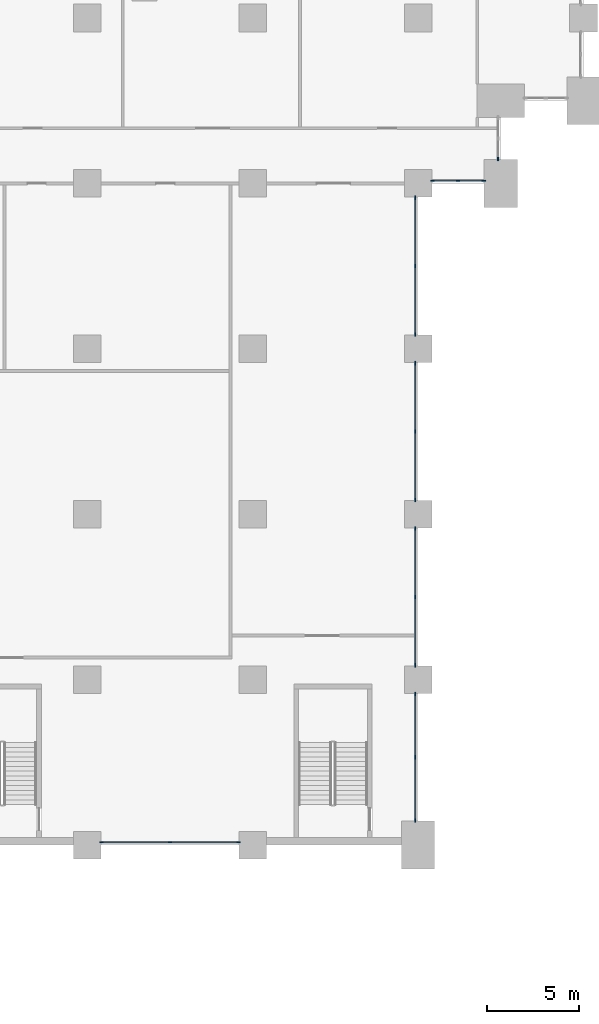
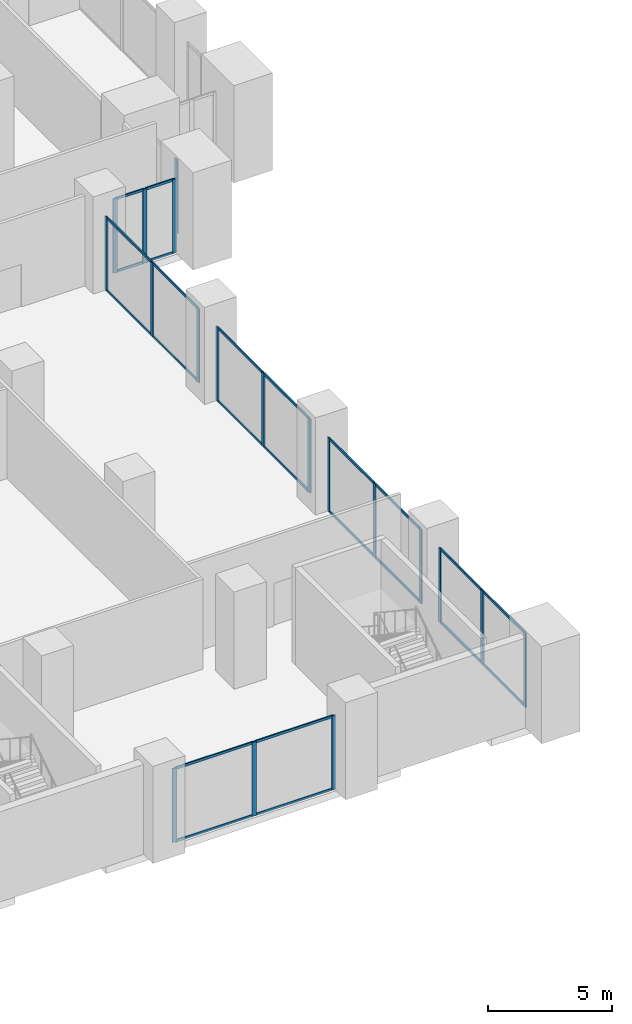
# One storey, part 5 of 31: 43 members, 7 elements without a shape of their own.
"""IFC4 building model written with IfcOpenShell, lengths in metres."""

from ifc_helpers import new_model, si_unit, direction, frame, origin, origin_2d, place, context, subcontext, project, spatial, rectangle, extrude, material, material_profile, profile_set, type_object, element, aggregate, save


model = new_model("IFC4")

# Units and contexts
model_context = context("Model", 3, precision=1e-05, world=origin(), true_north=direction((0.0, 1.0)))
body_context = subcontext(model_context, "Body", "Model", "MODEL_VIEW")
ifc_project = project(units=[si_unit("LENGTHUNIT", "METRE"), si_unit("AREAUNIT", "SQUARE_METRE"), si_unit("VOLUMEUNIT", "CUBIC_METRE"), si_unit("PLANEANGLEUNIT", "RADIAN"), si_unit("MASSUNIT", "GRAM", prefix="KILO")], contexts=[model_context])

# Site, building, storey
site_placement = place(None, origin())
site = spatial("IfcSite", under=ifc_project, at=site_placement, CompositionType="ELEMENT")
building_placement = place(site_placement, origin())
building = spatial("IfcBuilding", under=site, at=building_placement, Name="Hunhe Ridgeline Campus", CompositionType="ELEMENT")
storey_placement = place(building_placement, frame((0.0, 0.0, 16.800048828125)))
storey = spatial("IfcBuildingStorey", under=building, at=storey_placement, Name="L03", CompositionType="ELEMENT", Elevation=16.800048828125)

# Curtain wall, members
ifc_material_1 = material(Name="Aluminium and glass", Category="aluminium")
curtain_wall_type = type_object("IfcCurtainWallType", Name="Podium curtain wall CW-2", PredefinedType="NOTDEFINED", material=ifc_material_1)
curtain_wall_1_placement = place(storey_placement, origin())
curtain_wall_1 = element("IfcCurtainWall", 1, at=curtain_wall_1_placement, inside=storey, type_object=curtain_wall_type, Name="L03 podium curtain wall 1", PredefinedType="NOTDEFINED")
ifc_material_2 = material(Name="Aluminium", Category="aluminium")
ifc_material_profile_1 = material_profile(ifc_material_2, rectangle(XDim=0.06005859375, YDim=0.199951171875, at=origin_2d()))
ifc_profile_set_1 = profile_set([ifc_material_profile_1], Name="Aluminium")
member_type_1 = type_object("IfcMemberType", Name="CW-2 mullion 60x200", PredefinedType="MULLION", material=ifc_profile_set_1)
member_1_placement = place(storey_placement, frame((90.780029296875, 54.14990234375, 0.0), z_axis=(0.0, 0.0, 1.0), x_axis=(0.0, 1.0, 0.0)))
member_1 = element("IfcMember", 2, at=member_1_placement, type_object=member_type_1, Name="CW2 mullion 1", PredefinedType="MULLION", context=body_context, shape_type="SweptSolid", body=[
    extrude(rectangle(XDim=0.06005859375, YDim=0.199951171875, at=origin_2d()), origin(), (0.0, 0.0, 1.0), 3.64990234375),
])
member_2_placement = place(storey_placement, frame((92.175048828125, 54.14990234375, 0.0), z_axis=(0.0, 0.0, 1.0), x_axis=(0.0, 1.0, 0.0)))
member_2 = element("IfcMember", 3, at=member_2_placement, type_object=member_type_1, Name="CW2 mullion 2", PredefinedType="MULLION", context=body_context, shape_type="SweptSolid", body=[
    extrude(rectangle(XDim=0.06005859375, YDim=0.199951171875, at=origin_2d()), origin(), (0.0, 0.0, 1.0), 3.64990234375),
])
member_3_placement = place(storey_placement, frame((93.570068359375, 54.14990234375, 0.0), z_axis=(0.0, 0.0, 1.0), x_axis=(0.0, 1.0, 0.0)))
member_3 = element("IfcMember", 4, at=member_3_placement, type_object=member_type_1, Name="CW2 mullion 3", PredefinedType="MULLION", context=body_context, shape_type="SweptSolid", body=[
    extrude(rectangle(XDim=0.06005859375, YDim=0.199951171875, at=origin_2d()), origin(), (0.0, 0.0, 1.0), 3.64990234375),
])

# Curtain wall, member
curtain_wall_2_placement = place(storey_placement, origin())
curtain_wall_2 = element("IfcCurtainWall", 5, at=curtain_wall_2_placement, inside=storey, type_object=curtain_wall_type, Name="L03 podium curtain wall 2", PredefinedType="NOTDEFINED")
member_4_placement = place(storey_placement, frame((94.35009765625, 55.330078125, 0.0), z_axis=(0.0, 0.0, 1.0), x_axis=(-1.0, 0.0, 0.0)))
member_4 = element("IfcMember", 6, at=member_4_placement, type_object=member_type_1, Name="CW2 mullion 1", PredefinedType="MULLION", context=body_context, shape_type="SweptSolid", body=[
    extrude(rectangle(XDim=0.06005859375, YDim=0.199951171875, at=origin_2d()), origin(), (0.0, 0.0, 1.0), 3.64990234375),
])
aggregate(curtain_wall_2, [member_4])

# Curtain wall, members
curtain_wall_3_placement = place(storey_placement, origin())
curtain_wall_3 = element("IfcCurtainWall", 7, at=curtain_wall_3_placement, inside=storey, type_object=curtain_wall_type, Name="L03 podium curtain wall 19", PredefinedType="NOTDEFINED")
member_5_placement = place(storey_placement, frame((72.780029296875, 18.14990234375, 0.0), z_axis=(0.0, 0.0, 1.0), x_axis=(0.0, 1.0, 0.0)))
member_5 = element("IfcMember", 8, at=member_5_placement, type_object=member_type_1, Name="CW2 mullion 1", PredefinedType="MULLION", context=body_context, shape_type="SweptSolid", body=[
    extrude(rectangle(XDim=0.06005859375, YDim=0.199951171875, at=origin_2d()), origin(), (0.0, 0.0, 1.0), 3.64990234375),
])
member_6_placement = place(storey_placement, frame((76.5, 18.14990234375, 0.0), z_axis=(0.0, 0.0, 1.0), x_axis=(0.0, 1.0, 0.0)))
member_6 = element("IfcMember", 9, at=member_6_placement, type_object=member_type_1, Name="CW2 mullion 2", PredefinedType="MULLION", context=body_context, shape_type="SweptSolid", body=[
    extrude(rectangle(XDim=0.06005859375, YDim=0.199951171875, at=origin_2d()), origin(), (0.0, 0.0, 1.0), 3.64990234375),
])
member_7_placement = place(storey_placement, frame((80.219970703125, 18.14990234375, 0.0), z_axis=(0.0, 0.0, 1.0), x_axis=(0.0, 1.0, 0.0)))
member_7 = element("IfcMember", 10, at=member_7_placement, type_object=member_type_1, Name="CW2 mullion 3", PredefinedType="MULLION", context=body_context, shape_type="SweptSolid", body=[
    extrude(rectangle(XDim=0.06005859375, YDim=0.199951171875, at=origin_2d()), origin(), (0.0, 0.0, 1.0), 3.64990234375),
])

curtain_wall_4_placement = place(storey_placement, origin())
curtain_wall_4 = element("IfcCurtainWall", 11, at=curtain_wall_4_placement, inside=storey, type_object=curtain_wall_type, Name="L03 podium curtain wall 21", PredefinedType="NOTDEFINED")
member_8_placement = place(storey_placement, frame((89.85009765625, 19.330078125, 0.0), z_axis=(0.0, 0.0, 1.0), x_axis=(-1.0, 0.0, 0.0)))
member_8 = element("IfcMember", 12, at=member_8_placement, type_object=member_type_1, Name="CW2 mullion 1", PredefinedType="MULLION", context=body_context, shape_type="SweptSolid", body=[
    extrude(rectangle(XDim=0.06005859375, YDim=0.199951171875, at=origin_2d()), origin(), (0.0, 0.0, 1.0), 3.64990234375),
])
member_9_placement = place(storey_placement, frame((89.85009765625, 22.77490234375, 0.0), z_axis=(0.0, 0.0, 1.0), x_axis=(-1.0, 0.0, 0.0)))
member_9 = element("IfcMember", 13, at=member_9_placement, type_object=member_type_1, Name="CW2 mullion 2", PredefinedType="MULLION", context=body_context, shape_type="SweptSolid", body=[
    extrude(rectangle(XDim=0.06005859375, YDim=0.199951171875, at=origin_2d()), origin(), (0.0, 0.0, 1.0), 3.64990234375),
])
member_10_placement = place(storey_placement, frame((89.85009765625, 26.219970703125, 0.0), z_axis=(0.0, 0.0, 1.0), x_axis=(-1.0, 0.0, 0.0)))
member_10 = element("IfcMember", 14, at=member_10_placement, type_object=member_type_1, Name="CW2 mullion 3", PredefinedType="MULLION", context=body_context, shape_type="SweptSolid", body=[
    extrude(rectangle(XDim=0.06005859375, YDim=0.199951171875, at=origin_2d()), origin(), (0.0, 0.0, 1.0), 3.64990234375),
])

curtain_wall_5_placement = place(storey_placement, origin())
curtain_wall_5 = element("IfcCurtainWall", 15, at=curtain_wall_5_placement, inside=storey, type_object=curtain_wall_type, Name="L03 podium curtain wall 22", PredefinedType="NOTDEFINED")
member_11_placement = place(storey_placement, frame((89.85009765625, 27.780029296875, 0.0), z_axis=(0.0, 0.0, 1.0), x_axis=(-1.0, 0.0, 0.0)))
member_11 = element("IfcMember", 16, at=member_11_placement, type_object=member_type_1, Name="CW2 mullion 1", PredefinedType="MULLION", context=body_context, shape_type="SweptSolid", body=[
    extrude(rectangle(XDim=0.06005859375, YDim=0.199951171875, at=origin_2d()), origin(), (0.0, 0.0, 1.0), 3.64990234375),
])
member_12_placement = place(storey_placement, frame((89.85009765625, 31.5, 0.0), z_axis=(0.0, 0.0, 1.0), x_axis=(-1.0, 0.0, 0.0)))
member_12 = element("IfcMember", 17, at=member_12_placement, type_object=member_type_1, Name="CW2 mullion 2", PredefinedType="MULLION", context=body_context, shape_type="SweptSolid", body=[
    extrude(rectangle(XDim=0.06005859375, YDim=0.199951171875, at=origin_2d()), origin(), (0.0, 0.0, 1.0), 3.64990234375),
])
member_13_placement = place(storey_placement, frame((89.85009765625, 35.219970703125, 0.0), z_axis=(0.0, 0.0, 1.0), x_axis=(-1.0, 0.0, 0.0)))
member_13 = element("IfcMember", 18, at=member_13_placement, type_object=member_type_1, Name="CW2 mullion 3", PredefinedType="MULLION", context=body_context, shape_type="SweptSolid", body=[
    extrude(rectangle(XDim=0.06005859375, YDim=0.199951171875, at=origin_2d()), origin(), (0.0, 0.0, 1.0), 3.64990234375),
])

curtain_wall_6_placement = place(storey_placement, origin())
curtain_wall_6 = element("IfcCurtainWall", 19, at=curtain_wall_6_placement, inside=storey, type_object=curtain_wall_type, Name="L03 podium curtain wall 23", PredefinedType="NOTDEFINED")
member_14_placement = place(storey_placement, frame((89.85009765625, 36.780029296875, 0.0), z_axis=(0.0, 0.0, 1.0), x_axis=(-1.0, 0.0, 0.0)))
member_14 = element("IfcMember", 20, at=member_14_placement, type_object=member_type_1, Name="CW2 mullion 1", PredefinedType="MULLION", context=body_context, shape_type="SweptSolid", body=[
    extrude(rectangle(XDim=0.06005859375, YDim=0.199951171875, at=origin_2d()), origin(), (0.0, 0.0, 1.0), 3.64990234375),
])
member_15_placement = place(storey_placement, frame((89.85009765625, 40.5, 0.0), z_axis=(0.0, 0.0, 1.0), x_axis=(-1.0, 0.0, 0.0)))
member_15 = element("IfcMember", 21, at=member_15_placement, type_object=member_type_1, Name="CW2 mullion 2", PredefinedType="MULLION", context=body_context, shape_type="SweptSolid", body=[
    extrude(rectangle(XDim=0.06005859375, YDim=0.199951171875, at=origin_2d()), origin(), (0.0, 0.0, 1.0), 3.64990234375),
])
member_16_placement = place(storey_placement, frame((89.85009765625, 44.219970703125, 0.0), z_axis=(0.0, 0.0, 1.0), x_axis=(-1.0, 0.0, 0.0)))
member_16 = element("IfcMember", 22, at=member_16_placement, type_object=member_type_1, Name="CW2 mullion 3", PredefinedType="MULLION", context=body_context, shape_type="SweptSolid", body=[
    extrude(rectangle(XDim=0.06005859375, YDim=0.199951171875, at=origin_2d()), origin(), (0.0, 0.0, 1.0), 3.64990234375),
])

curtain_wall_7_placement = place(storey_placement, origin())
curtain_wall_7 = element("IfcCurtainWall", 23, at=curtain_wall_7_placement, inside=storey, type_object=curtain_wall_type, Name="L03 podium curtain wall 24", PredefinedType="NOTDEFINED")
member_17_placement = place(storey_placement, frame((89.85009765625, 45.780029296875, 0.0), z_axis=(0.0, 0.0, 1.0), x_axis=(-1.0, 0.0, 0.0)))
member_17 = element("IfcMember", 24, at=member_17_placement, type_object=member_type_1, Name="CW2 mullion 1", PredefinedType="MULLION", context=body_context, shape_type="SweptSolid", body=[
    extrude(rectangle(XDim=0.06005859375, YDim=0.199951171875, at=origin_2d()), origin(), (0.0, 0.0, 1.0), 3.64990234375),
])
member_18_placement = place(storey_placement, frame((89.85009765625, 49.5, 0.0), z_axis=(0.0, 0.0, 1.0), x_axis=(-1.0, 0.0, 0.0)))
member_18 = element("IfcMember", 25, at=member_18_placement, type_object=member_type_1, Name="CW2 mullion 2", PredefinedType="MULLION", context=body_context, shape_type="SweptSolid", body=[
    extrude(rectangle(XDim=0.06005859375, YDim=0.199951171875, at=origin_2d()), origin(), (0.0, 0.0, 1.0), 3.64990234375),
])
member_19_placement = place(storey_placement, frame((89.85009765625, 53.219970703125, 0.0), z_axis=(0.0, 0.0, 1.0), x_axis=(-1.0, 0.0, 0.0)))
member_19 = element("IfcMember", 26, at=member_19_placement, type_object=member_type_1, Name="CW2 mullion 3", PredefinedType="MULLION", context=body_context, shape_type="SweptSolid", body=[
    extrude(rectangle(XDim=0.06005859375, YDim=0.199951171875, at=origin_2d()), origin(), (0.0, 0.0, 1.0), 3.64990234375),
])

# Member
ifc_material_profile_2 = material_profile(ifc_material_2, rectangle(XDim=0.06005859375, YDim=0.1201171875, at=origin_2d()))
ifc_profile_set_2 = profile_set([ifc_material_profile_2], Name="Aluminium")
member_type_2 = type_object("IfcMemberType", Name="CW-2 transom 60x120", PredefinedType="USERDEFINED", material=ifc_profile_set_2)
member_20_placement = place(storey_placement, frame((90.81005859375, 54.14990234375, 0.030029296875), z_axis=(1.0, 0.0, 0.0), x_axis=(0.0, 1.0, 0.0)))
member_20 = element("IfcMember", 27, at=member_20_placement, type_object=member_type_2, Name="CW2 transom 1.1", ObjectType="TRANSOM", PredefinedType="USERDEFINED", context=body_context, shape_type="SweptSolid", body=[
    extrude(rectangle(XDim=0.06005859375, YDim=0.1201171875, at=origin_2d()), origin(), (0.0, 0.0, 1.0), 1.3349609375),
])

member_21_placement = place(storey_placement, frame((90.81005859375, 54.14990234375, 3.619873046875), z_axis=(1.0, 0.0, 0.0), x_axis=(0.0, 1.0, 0.0)))
member_21 = element("IfcMember", 28, at=member_21_placement, type_object=member_type_2, Name="CW2 transom 1.2", ObjectType="TRANSOM", PredefinedType="USERDEFINED", context=body_context, shape_type="SweptSolid", body=[
    extrude(rectangle(XDim=0.06005859375, YDim=0.1201171875, at=origin_2d()), origin(), (0.0, 0.0, 1.0), 1.3349609375),
])

member_22_placement = place(storey_placement, frame((92.205078125, 54.14990234375, 0.030029296875), z_axis=(1.0, 0.0, 0.0), x_axis=(0.0, 1.0, 0.0)))
member_22 = element("IfcMember", 29, at=member_22_placement, type_object=member_type_2, Name="CW2 transom 2.1", ObjectType="TRANSOM", PredefinedType="USERDEFINED", context=body_context, shape_type="SweptSolid", body=[
    extrude(rectangle(XDim=0.06005859375, YDim=0.1201171875, at=origin_2d()), origin(), (0.0, 0.0, 1.0), 1.3349609375),
])

member_23_placement = place(storey_placement, frame((92.205078125, 54.14990234375, 3.619873046875), z_axis=(1.0, 0.0, 0.0), x_axis=(0.0, 1.0, 0.0)))
member_23 = element("IfcMember", 30, at=member_23_placement, type_object=member_type_2, Name="CW2 transom 2.2", ObjectType="TRANSOM", PredefinedType="USERDEFINED", context=body_context, shape_type="SweptSolid", body=[
    extrude(rectangle(XDim=0.06005859375, YDim=0.1201171875, at=origin_2d()), origin(), (0.0, 0.0, 1.0), 1.3349609375),
])

aggregate(curtain_wall_1, [member_1, member_2, member_3, member_20, member_21, member_22, member_23])

member_24_placement = place(storey_placement, frame((72.81005859375, 18.14990234375, 0.030029296875), z_axis=(1.0, 0.0, 0.0), x_axis=(0.0, 1.0, 0.0)))
member_24 = element("IfcMember", 31, at=member_24_placement, type_object=member_type_2, Name="CW2 transom 1.1", ObjectType="TRANSOM", PredefinedType="USERDEFINED", context=body_context, shape_type="SweptSolid", body=[
    extrude(rectangle(XDim=0.06005859375, YDim=0.1201171875, at=origin_2d()), origin(), (0.0, 0.0, 1.0), 3.659912109375),
])

member_25_placement = place(storey_placement, frame((72.81005859375, 18.14990234375, 3.619873046875), z_axis=(1.0, 0.0, 0.0), x_axis=(0.0, 1.0, 0.0)))
member_25 = element("IfcMember", 32, at=member_25_placement, type_object=member_type_2, Name="CW2 transom 1.2", ObjectType="TRANSOM", PredefinedType="USERDEFINED", context=body_context, shape_type="SweptSolid", body=[
    extrude(rectangle(XDim=0.06005859375, YDim=0.1201171875, at=origin_2d()), origin(), (0.0, 0.0, 1.0), 3.659912109375),
])

member_26_placement = place(storey_placement, frame((76.530029296875, 18.14990234375, 0.030029296875), z_axis=(1.0, 0.0, 0.0), x_axis=(0.0, 1.0, 0.0)))
member_26 = element("IfcMember", 33, at=member_26_placement, type_object=member_type_2, Name="CW2 transom 2.1", ObjectType="TRANSOM", PredefinedType="USERDEFINED", context=body_context, shape_type="SweptSolid", body=[
    extrude(rectangle(XDim=0.06005859375, YDim=0.1201171875, at=origin_2d()), origin(), (0.0, 0.0, 1.0), 3.659912109375),
])

member_27_placement = place(storey_placement, frame((76.530029296875, 18.14990234375, 3.619873046875), z_axis=(1.0, 0.0, 0.0), x_axis=(0.0, 1.0, 0.0)))
member_27 = element("IfcMember", 34, at=member_27_placement, type_object=member_type_2, Name="CW2 transom 2.2", ObjectType="TRANSOM", PredefinedType="USERDEFINED", context=body_context, shape_type="SweptSolid", body=[
    extrude(rectangle(XDim=0.06005859375, YDim=0.1201171875, at=origin_2d()), origin(), (0.0, 0.0, 1.0), 3.659912109375),
])

aggregate(curtain_wall_3, [member_5, member_6, member_7, member_24, member_25, member_26, member_27])

member_28_placement = place(storey_placement, frame((89.85009765625, 19.360107421875, 0.030029296875), z_axis=(0.0, 1.0, 0.0), x_axis=(-1.0, 0.0, 0.0)))
member_28 = element("IfcMember", 35, at=member_28_placement, type_object=member_type_2, Name="CW2 transom 1.1", ObjectType="TRANSOM", PredefinedType="USERDEFINED", context=body_context, shape_type="SweptSolid", body=[
    extrude(rectangle(XDim=0.06005859375, YDim=0.1201171875, at=origin_2d()), origin(), (0.0, 0.0, 1.0), 3.385009765625),
])

member_29_placement = place(storey_placement, frame((89.85009765625, 19.360107421875, 3.619873046875), z_axis=(0.0, 1.0, 0.0), x_axis=(-1.0, 0.0, 0.0)))
member_29 = element("IfcMember", 36, at=member_29_placement, type_object=member_type_2, Name="CW2 transom 1.2", ObjectType="TRANSOM", PredefinedType="USERDEFINED", context=body_context, shape_type="SweptSolid", body=[
    extrude(rectangle(XDim=0.06005859375, YDim=0.1201171875, at=origin_2d()), origin(), (0.0, 0.0, 1.0), 3.385009765625),
])

member_30_placement = place(storey_placement, frame((89.85009765625, 22.804931640625, 0.030029296875), z_axis=(0.0, 1.0, 0.0), x_axis=(-1.0, 0.0, 0.0)))
member_30 = element("IfcMember", 37, at=member_30_placement, type_object=member_type_2, Name="CW2 transom 2.1", ObjectType="TRANSOM", PredefinedType="USERDEFINED", context=body_context, shape_type="SweptSolid", body=[
    extrude(rectangle(XDim=0.06005859375, YDim=0.1201171875, at=origin_2d()), origin(), (0.0, 0.0, 1.0), 3.385009765625),
])

member_31_placement = place(storey_placement, frame((89.85009765625, 22.804931640625, 3.619873046875), z_axis=(0.0, 1.0, 0.0), x_axis=(-1.0, 0.0, 0.0)))
member_31 = element("IfcMember", 38, at=member_31_placement, type_object=member_type_2, Name="CW2 transom 2.2", ObjectType="TRANSOM", PredefinedType="USERDEFINED", context=body_context, shape_type="SweptSolid", body=[
    extrude(rectangle(XDim=0.06005859375, YDim=0.1201171875, at=origin_2d()), origin(), (0.0, 0.0, 1.0), 3.385009765625),
])

aggregate(curtain_wall_4, [member_8, member_9, member_10, member_28, member_29, member_30, member_31])

member_32_placement = place(storey_placement, frame((89.85009765625, 27.81005859375, 0.030029296875), z_axis=(0.0, 1.0, 0.0), x_axis=(-1.0, 0.0, 0.0)))
member_32 = element("IfcMember", 39, at=member_32_placement, type_object=member_type_2, Name="CW2 transom 1.1", ObjectType="TRANSOM", PredefinedType="USERDEFINED", context=body_context, shape_type="SweptSolid", body=[
    extrude(rectangle(XDim=0.06005859375, YDim=0.1201171875, at=origin_2d()), origin(), (0.0, 0.0, 1.0), 3.659912109375),
])

member_33_placement = place(storey_placement, frame((89.85009765625, 27.81005859375, 3.619873046875), z_axis=(0.0, 1.0, 0.0), x_axis=(-1.0, 0.0, 0.0)))
member_33 = element("IfcMember", 40, at=member_33_placement, type_object=member_type_2, Name="CW2 transom 1.2", ObjectType="TRANSOM", PredefinedType="USERDEFINED", context=body_context, shape_type="SweptSolid", body=[
    extrude(rectangle(XDim=0.06005859375, YDim=0.1201171875, at=origin_2d()), origin(), (0.0, 0.0, 1.0), 3.659912109375),
])

member_34_placement = place(storey_placement, frame((89.85009765625, 31.530029296875, 0.030029296875), z_axis=(0.0, 1.0, 0.0), x_axis=(-1.0, 0.0, 0.0)))
member_34 = element("IfcMember", 41, at=member_34_placement, type_object=member_type_2, Name="CW2 transom 2.1", ObjectType="TRANSOM", PredefinedType="USERDEFINED", context=body_context, shape_type="SweptSolid", body=[
    extrude(rectangle(XDim=0.06005859375, YDim=0.1201171875, at=origin_2d()), origin(), (0.0, 0.0, 1.0), 3.659912109375),
])

member_35_placement = place(storey_placement, frame((89.85009765625, 31.530029296875, 3.619873046875), z_axis=(0.0, 1.0, 0.0), x_axis=(-1.0, 0.0, 0.0)))
member_35 = element("IfcMember", 42, at=member_35_placement, type_object=member_type_2, Name="CW2 transom 2.2", ObjectType="TRANSOM", PredefinedType="USERDEFINED", context=body_context, shape_type="SweptSolid", body=[
    extrude(rectangle(XDim=0.06005859375, YDim=0.1201171875, at=origin_2d()), origin(), (0.0, 0.0, 1.0), 3.659912109375),
])

aggregate(curtain_wall_5, [member_11, member_12, member_13, member_32, member_33, member_34, member_35])

member_36_placement = place(storey_placement, frame((89.85009765625, 36.81005859375, 0.030029296875), z_axis=(0.0, 1.0, 0.0), x_axis=(-1.0, 0.0, 0.0)))
member_36 = element("IfcMember", 43, at=member_36_placement, type_object=member_type_2, Name="CW2 transom 1.1", ObjectType="TRANSOM", PredefinedType="USERDEFINED", context=body_context, shape_type="SweptSolid", body=[
    extrude(rectangle(XDim=0.06005859375, YDim=0.1201171875, at=origin_2d()), origin(), (0.0, 0.0, 1.0), 3.659912109375),
])

member_37_placement = place(storey_placement, frame((89.85009765625, 36.81005859375, 3.619873046875), z_axis=(0.0, 1.0, 0.0), x_axis=(-1.0, 0.0, 0.0)))
member_37 = element("IfcMember", 44, at=member_37_placement, type_object=member_type_2, Name="CW2 transom 1.2", ObjectType="TRANSOM", PredefinedType="USERDEFINED", context=body_context, shape_type="SweptSolid", body=[
    extrude(rectangle(XDim=0.06005859375, YDim=0.1201171875, at=origin_2d()), origin(), (0.0, 0.0, 1.0), 3.659912109375),
])

member_38_placement = place(storey_placement, frame((89.85009765625, 40.530029296875, 0.030029296875), z_axis=(0.0, 1.0, 0.0), x_axis=(-1.0, 0.0, 0.0)))
member_38 = element("IfcMember", 45, at=member_38_placement, type_object=member_type_2, Name="CW2 transom 2.1", ObjectType="TRANSOM", PredefinedType="USERDEFINED", context=body_context, shape_type="SweptSolid", body=[
    extrude(rectangle(XDim=0.06005859375, YDim=0.1201171875, at=origin_2d()), origin(), (0.0, 0.0, 1.0), 3.659912109375),
])

member_39_placement = place(storey_placement, frame((89.85009765625, 40.530029296875, 3.619873046875), z_axis=(0.0, 1.0, 0.0), x_axis=(-1.0, 0.0, 0.0)))
member_39 = element("IfcMember", 46, at=member_39_placement, type_object=member_type_2, Name="CW2 transom 2.2", ObjectType="TRANSOM", PredefinedType="USERDEFINED", context=body_context, shape_type="SweptSolid", body=[
    extrude(rectangle(XDim=0.06005859375, YDim=0.1201171875, at=origin_2d()), origin(), (0.0, 0.0, 1.0), 3.659912109375),
])

aggregate(curtain_wall_6, [member_14, member_15, member_16, member_36, member_37, member_38, member_39])

member_40_placement = place(storey_placement, frame((89.85009765625, 45.81005859375, 0.030029296875), z_axis=(0.0, 1.0, 0.0), x_axis=(-1.0, 0.0, 0.0)))
member_40 = element("IfcMember", 47, at=member_40_placement, type_object=member_type_2, Name="CW2 transom 1.1", ObjectType="TRANSOM", PredefinedType="USERDEFINED", context=body_context, shape_type="SweptSolid", body=[
    extrude(rectangle(XDim=0.06005859375, YDim=0.1201171875, at=origin_2d()), origin(), (0.0, 0.0, 1.0), 3.659912109375),
])

member_41_placement = place(storey_placement, frame((89.85009765625, 45.81005859375, 3.619873046875), z_axis=(0.0, 1.0, 0.0), x_axis=(-1.0, 0.0, 0.0)))
member_41 = element("IfcMember", 48, at=member_41_placement, type_object=member_type_2, Name="CW2 transom 1.2", ObjectType="TRANSOM", PredefinedType="USERDEFINED", context=body_context, shape_type="SweptSolid", body=[
    extrude(rectangle(XDim=0.06005859375, YDim=0.1201171875, at=origin_2d()), origin(), (0.0, 0.0, 1.0), 3.659912109375),
])

member_42_placement = place(storey_placement, frame((89.85009765625, 49.530029296875, 0.030029296875), z_axis=(0.0, 1.0, 0.0), x_axis=(-1.0, 0.0, 0.0)))
member_42 = element("IfcMember", 49, at=member_42_placement, type_object=member_type_2, Name="CW2 transom 2.1", ObjectType="TRANSOM", PredefinedType="USERDEFINED", context=body_context, shape_type="SweptSolid", body=[
    extrude(rectangle(XDim=0.06005859375, YDim=0.1201171875, at=origin_2d()), origin(), (0.0, 0.0, 1.0), 3.659912109375),
])

member_43_placement = place(storey_placement, frame((89.85009765625, 49.530029296875, 3.619873046875), z_axis=(0.0, 1.0, 0.0), x_axis=(-1.0, 0.0, 0.0)))
member_43 = element("IfcMember", 50, at=member_43_placement, type_object=member_type_2, Name="CW2 transom 2.2", ObjectType="TRANSOM", PredefinedType="USERDEFINED", context=body_context, shape_type="SweptSolid", body=[
    extrude(rectangle(XDim=0.06005859375, YDim=0.1201171875, at=origin_2d()), origin(), (0.0, 0.0, 1.0), 3.659912109375),
])

aggregate(curtain_wall_7, [member_17, member_18, member_19, member_40, member_41, member_42, member_43])

save(model, "model.ifc")
